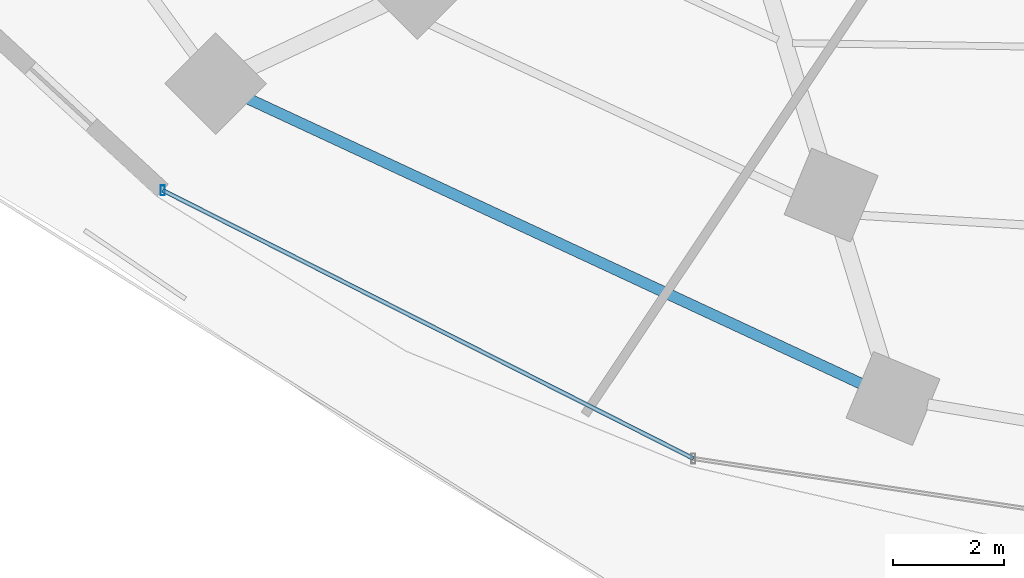
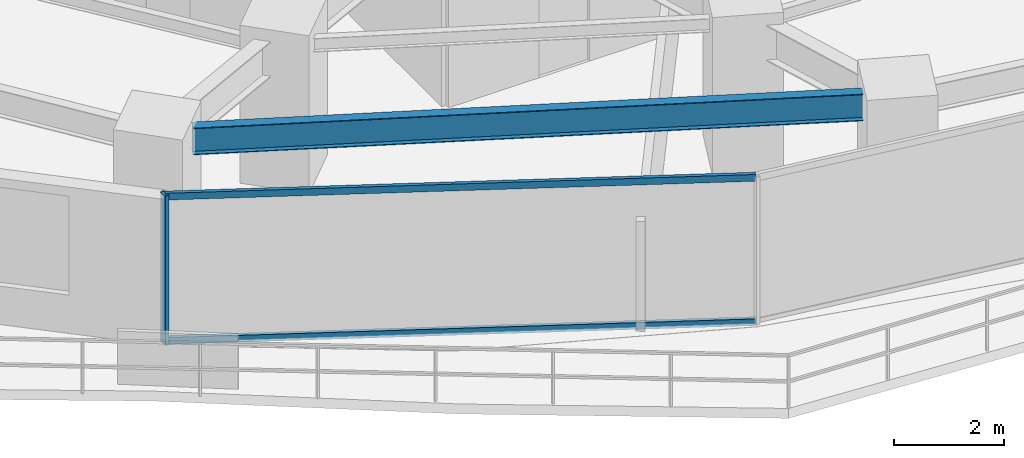
# One storey, part 2 of 33: 3 members, 1 beam, 1 element without a shape of its own.
"""IFC4 building model written with IfcOpenShell, lengths in metres."""

from ifc_helpers import new_model, si_unit, direction, frame, origin, origin_2d, place, context, subcontext, project, spatial, hollow_rectangle, i_section, extrude, material, material_profile, profile_set, type_object, element, aggregate, save


model = new_model("IFC4")

# Units and contexts
model_context = context("Model", 3, precision=1e-05, world=origin(), true_north=direction((0.0, 1.0)))
body_context = subcontext(model_context, "Body", "Model", "MODEL_VIEW")
ifc_project = project(units=[si_unit("LENGTHUNIT", "METRE"), si_unit("AREAUNIT", "SQUARE_METRE"), si_unit("VOLUMEUNIT", "CUBIC_METRE"), si_unit("PLANEANGLEUNIT", "RADIAN"), si_unit("MASSUNIT", "GRAM", prefix="KILO")], contexts=[model_context])

# Site, building, storey
site_placement = place(None, origin())
site = spatial("IfcSite", under=ifc_project, at=site_placement, CompositionType="ELEMENT")
building_placement = place(site_placement, origin())
building = spatial("IfcBuilding", under=site, at=building_placement, Name="Vorneva Point Tower", CompositionType="ELEMENT")
storey_placement = place(building_placement, frame((0.0, 0.0, 38.0)))
storey = spatial("IfcBuildingStorey", under=building, at=storey_placement, Name="L09", CompositionType="ELEMENT", Elevation=38.0)

# Beam
ifc_material_1 = material(Name="Steel S355", Category="steel")
ifc_material_profile_1 = material_profile(ifc_material_1, i_section(OverallWidth=0.198974609375, OverallDepth=0.595947265625, WebThickness=0.010009765625, FlangeThickness=0.014892578125, at=origin_2d()), Name="60B1")
ifc_profile_set_1 = profile_set([ifc_material_profile_1], Name="Steel S355")
beam_type = type_object("IfcBeamType", Name="BM-SPN-60B1", PredefinedType="SPANDREL", material=ifc_profile_set_1)
beam_placement = place(storey_placement, frame((18.63720703125, 11.8564453125, 2.94189453125), z_axis=(0.906776698196, -0.421611218551, 0.0), x_axis=(0.421611218551, 0.906776698196, 0.0)))
element("IfcBeam", 1, at=beam_placement, inside=storey, type_object=beam_type, Name="L09 Perimeter Spandrel Ring Beam 11", PredefinedType="SPANDREL", context=body_context, shape_type="SweptSolid", body=[
    extrude(i_section(OverallWidth=0.198974609375, OverallDepth=0.595947265625, WebThickness=0.010009765625, FlangeThickness=0.014892578125, at=origin_2d()), origin(), (0.0, 0.0, 1.0), 12.223388671875),
])

# Curtain wall, members
ifc_material_2 = material(Name="Pale anodised aluminium", Category="aluminium")
curtain_wall_type = type_object("IfcCurtainWallType", Name="CW-HTL-SYS", PredefinedType="NOTDEFINED", material=ifc_material_2)
curtain_wall_placement = place(storey_placement, origin())
curtain_wall = element("IfcCurtainWall", 2, at=curtain_wall_placement, inside=storey, type_object=curtain_wall_type, Name="L09 Unitised Curtain Wall CW-L09-R04", PredefinedType="NOTDEFINED")
ifc_material_profile_2 = material_profile(ifc_material_2, hollow_rectangle(XDim=0.074951171875, YDim=0.179931640625, WallThickness=0.00390625, at=origin_2d()), Name="AL-MUL 180x75x4")
ifc_profile_set_2 = profile_set([ifc_material_profile_2], Name="Pale anodised aluminium")
member_type_1 = type_object("IfcMemberType", Name="CW-MUL-180", PredefinedType="MULLION", material=ifc_profile_set_2)
member_1_placement = place(storey_placement, frame((17.10498046875, 10.1962890625, -0.0400390625), z_axis=(0.0, 0.0, 1.0), x_axis=(1.0, 0.0, 0.0)))
member_1 = element("IfcMember", 3, at=member_1_placement, type_object=member_type_1, Name="CW-L09-R04 Mullion 01", PredefinedType="MULLION", context=body_context, shape_type="SweptSolid", body=[
    extrude(hollow_rectangle(XDim=0.074951171875, YDim=0.179931640625, WallThickness=0.00390625, at=origin_2d()), origin(), (0.0, 0.0, 1.0), 3.31005859375),
])
ifc_material_profile_3 = material_profile(ifc_material_2, hollow_rectangle(XDim=0.074951171875, YDim=0.14990234375, WallThickness=0.00390625, at=origin_2d()), Name="AL-TRN 150x75x4")
ifc_profile_set_3 = profile_set([ifc_material_profile_3], Name="Pale anodised aluminium")
member_type_2 = type_object("IfcMemberType", Name="CW-TRN-150", PredefinedType="USERDEFINED", material=ifc_profile_set_3)
member_2_placement = place(storey_placement, frame((17.10498046875, 10.1962890625, 0.02001953125), z_axis=(0.892496057621, -0.451055192999, 0.0), x_axis=(0.451055192999, 0.892496057621, 0.0)))
member_2 = element("IfcMember", 4, at=member_2_placement, type_object=member_type_2, Name="CW-L09-R04 Transom 01.1", ObjectType="TRANSOM", PredefinedType="USERDEFINED", context=body_context, shape_type="SweptSolid", body=[
    extrude(hollow_rectangle(XDim=0.074951171875, YDim=0.14990234375, WallThickness=0.00390625, at=origin_2d()), origin(), (0.0, 0.0, 1.0), 10.741455078125),
])
member_3_placement = place(storey_placement, frame((17.10498046875, 10.1962890625, 3.219970703125), z_axis=(0.892496057621, -0.451055192999, 0.0), x_axis=(0.451055192999, 0.892496057621, 0.0)))
member_3 = element("IfcMember", 5, at=member_3_placement, type_object=member_type_2, Name="CW-L09-R04 Transom 01.2", ObjectType="TRANSOM", PredefinedType="USERDEFINED", context=body_context, shape_type="SweptSolid", body=[
    extrude(hollow_rectangle(XDim=0.074951171875, YDim=0.14990234375, WallThickness=0.00390625, at=origin_2d()), origin(), (0.0, 0.0, 1.0), 10.741455078125),
])
aggregate(curtain_wall, [member_1, member_2, member_3])

save(model, "model.ifc")
